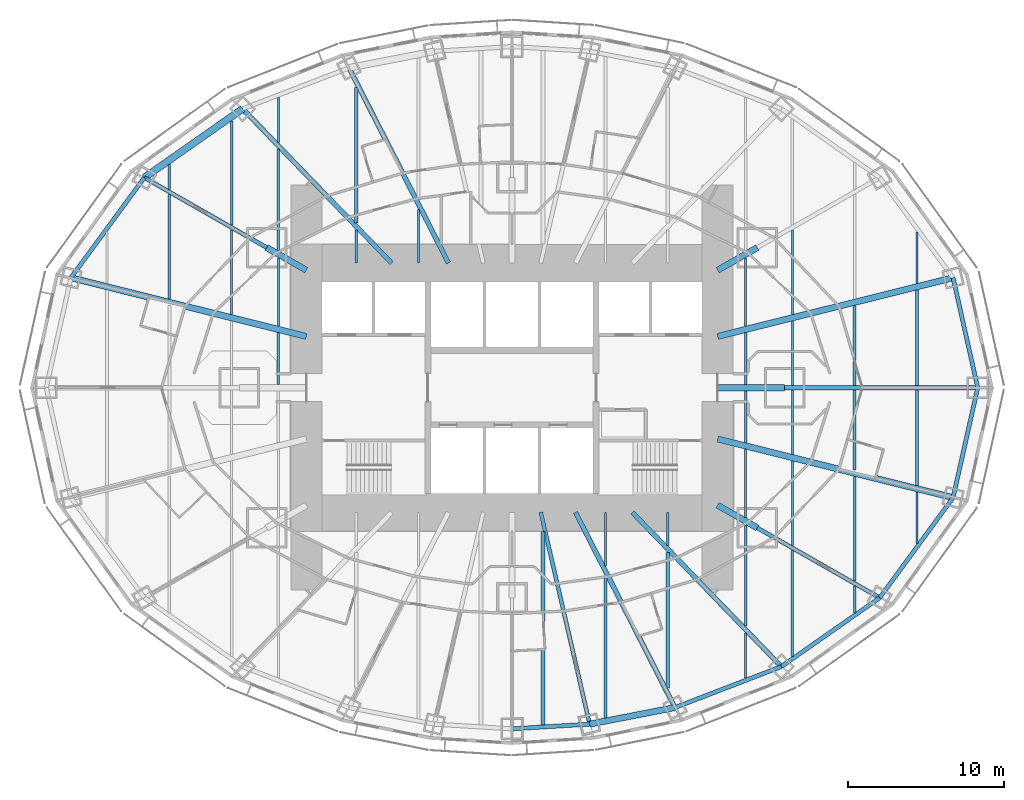
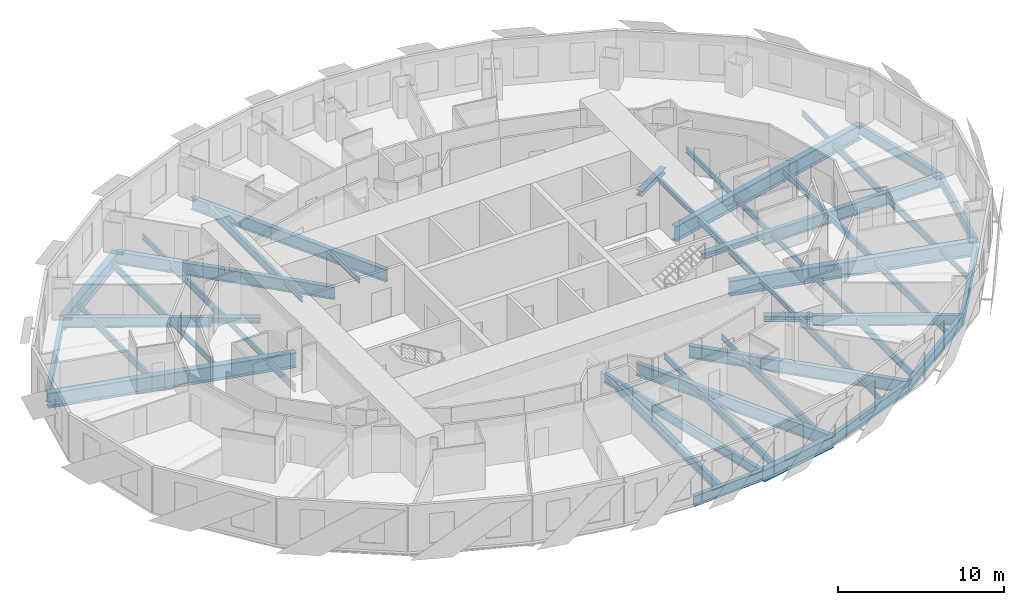
# One storey, part 2 of 15: 59 beams.
"""IFC4 building model written with IfcOpenShell, lengths in metres."""

import ifcopenshell
import ifcopenshell.guid

model = None  # the IFC model being written
_history = None  # IfcOwnerHistory: only IFC2X3 demands one
_inside = {}  # id of a spatial element -> (the spatial element, [elements in it])
_under = {}  # id of a project, library or spatial element -> (it, [spatial elements below it])
_declared = {}  # id of a project -> (the project, [libraries it declares])
_typed = {}  # id of a type object -> (the type object, [elements of that type])
_made_of = {}  # id of a material, layer set ... -> (it, [elements and type objects made of it])


def new_model(schema):
    """Start an empty IFC model of exactly this schema.

    Asked for "IFC4X3", IfcOpenShell would pick the latest addendum, in which some entities
    have other attributes; the version numbers below select the first issue.
    IFC2X3 requires an IfcOwnerHistory on every rooted entity: one is made here for all.
    """
    global model, _history
    if schema == "IFC4X3":
        model = ifcopenshell.file(schema_version=(4, 3, 0, 0))
    else:
        model = ifcopenshell.file(schema=schema)
    _inside.clear()
    _under.clear()
    _declared.clear()
    _typed.clear()
    _made_of.clear()
    _history = None
    if model.schema == "IFC2X3":
        org = make("IfcOrganization", Name="unknown")
        user = make(
            "IfcPersonAndOrganization",
            ThePerson=make("IfcPerson", FamilyName="unknown"),
            TheOrganization=org,
        )
        app = make(
            "IfcApplication",
            ApplicationDeveloper=org,
            Version="unknown",
            ApplicationFullName="unknown",
            ApplicationIdentifier="unknown",
        )
        _history = make(
            "IfcOwnerHistory",
            OwningUser=user,
            OwningApplication=app,
            ChangeAction="ADDED",
            CreationDate=0,
        )
    return model


def make(cls, **values):
    """One entity of the class cls with the attributes given. An attribute that is None is left unset."""
    return model.create_entity(
        cls, **{name: value for name, value in values.items() if value is not None}
    )


def rooted(cls, **values):
    """An entity with a GlobalId (a new one), such as an element, a storey or a relation."""
    return make(cls, GlobalId=ifcopenshell.guid.new(), OwnerHistory=_history, **values)


def si_unit(unit_type, name, prefix=None):
    """IfcSIUnit, for example si_unit("LENGTHUNIT", "METRE", prefix="MILLI")."""
    return make("IfcSIUnit", UnitType=unit_type, Prefix=prefix, Name=name)


def assignment(units):
    """IfcUnitAssignment: the units of a project."""
    return None if units is None else make("IfcUnitAssignment", Units=units)


def point(xyz):
    """IfcCartesianPoint."""
    return None if xyz is None else make("IfcCartesianPoint", Coordinates=xyz)


def direction(xyz):
    """IfcDirection."""
    return None if xyz is None else make("IfcDirection", DirectionRatios=xyz)


def frame(location, z_axis=None, x_axis=None):
    """IfcAxis2Placement3D, a coordinate frame: its origin and axes. An axis left out is left unset."""
    return make(
        "IfcAxis2Placement3D",
        Location=point(location),
        Axis=direction(z_axis),
        RefDirection=direction(x_axis),
    )


def frame_2d(location, x_axis=None):
    """IfcAxis2Placement2D, a coordinate frame in the plane: its origin and x axis."""
    return make(
        "IfcAxis2Placement2D", Location=point(location), RefDirection=direction(x_axis)
    )


def origin():
    """The frame at (0, 0, 0) with its axes left unset."""
    return frame((0.0, 0.0, 0.0))


def origin_2d():
    """The frame at (0, 0) in the plane with its x axis left unset."""
    return frame_2d((0.0, 0.0))


def place(relative_to, where):
    """IfcLocalPlacement: puts the frame where relative to a parent placement (None: the world)."""
    return make(
        "IfcLocalPlacement", PlacementRelTo=relative_to, RelativePlacement=where
    )


def context(
    kind, dimensions, precision=None, world=None, true_north=None, identifier=None
):
    """IfcGeometricRepresentationContext, for example the 3D "Model" context."""
    return make(
        "IfcGeometricRepresentationContext",
        ContextIdentifier=identifier,
        ContextType=kind,
        CoordinateSpaceDimension=dimensions,
        Precision=precision,
        WorldCoordinateSystem=world,
        TrueNorth=true_north,
    )


def subcontext(parent, identifier, kind, view, scale=None):
    """IfcGeometricRepresentationSubContext, for example "Body" below "Model"."""
    return make(
        "IfcGeometricRepresentationSubContext",
        ContextIdentifier=identifier,
        ContextType=kind,
        ParentContext=parent,
        TargetScale=scale,
        TargetView=view,
    )


def project(units=None, contexts=None):
    """IfcProject with its units and contexts."""
    return rooted(
        "IfcProject",
        Name="project",
        RepresentationContexts=contexts,
        UnitsInContext=assignment(units),
    )


def spatial(cls, under=None, at=None, **own):
    """A site, building, storey or space (cls), placed at a placement, below another one or the project."""
    s = rooted(cls, ObjectPlacement=at, **own)
    if under is not None:
        _under.setdefault(under.id(), (under, []))[1].append(s)
    return s


def profile(cls, at=None, kind="AREA", **sizes):
    """A parametric profile (cls). Its sizes go by their IFC names, for example OverallWidth=200.0."""
    return make(cls, ProfileType=kind, Position=at, **sizes)


def i_section(**sizes):
    """IfcIShapeProfileDef."""
    return profile("IfcIShapeProfileDef", **sizes)


def extrude(swept, where, along, depth):
    """IfcExtrudedAreaSolid: the profile swept, set in the frame where, extruded along a direction by depth."""
    return make(
        "IfcExtrudedAreaSolid",
        SweptArea=swept,
        Position=where,
        ExtrudedDirection=direction(along),
        Depth=depth,
    )


def shape(context_of_items, identifier, shape_type, items):
    """IfcShapeRepresentation: the items that make up one representation, for example the "Body"."""
    return make(
        "IfcShapeRepresentation",
        ContextOfItems=context_of_items,
        RepresentationIdentifier=identifier,
        RepresentationType=shape_type,
        Items=items,
    )


def material(Name=None, Category=None):
    """IfcMaterial."""
    return make("IfcMaterial", Name=Name, Category=Category)


def material_profile(
    of_material, cross_section, Name=None, Category=None, Priority=None
):
    """IfcMaterialProfile: a cross section and its material."""
    return make(
        "IfcMaterialProfile",
        Name=Name,
        Material=of_material,
        Profile=cross_section,
        Priority=Priority,
        Category=Category,
    )


def profile_set(profiles, Name=None, composite=None):
    """IfcMaterialProfileSet."""
    return make(
        "IfcMaterialProfileSet",
        Name=Name,
        MaterialProfiles=profiles,
        CompositeProfile=composite,
    )


def made_of(thing, what):
    """Note that an element or type object is made of a material, layer set ...; save() writes the relation."""
    if what is not None:
        _made_of.setdefault(what.id(), (what, []))[1].append(thing)
    return thing


def type_object(cls, material=None, **own):
    """A type object (cls), such as IfcWallType, which elements share."""
    return made_of(rooted(cls, **own), material)


def element(
    cls,
    number,
    at=None,
    inside=None,
    cuts=None,
    type_object=None,
    material=None,
    context=None,
    identifier="Body",
    shape_type=None,
    held_by="IfcProductDefinitionShape",
    body=None,
    shapes=None,
    **own,
):
    """One element of the class cls, such as IfcWall. Its Tag is "e" and its number.

    at: its placement. inside: the storey or other place that contains it. cuts: it is an
    opening in that element (IfcRelVoidsElement). A single representation is given by context,
    identifier, shape_type and body (its items); several are given by shapes. held_by: the class
    of the entity that holds the representations. save() writes the other relations.
    """
    e = rooted(cls, Tag="e%d" % number, ObjectPlacement=at, **own)
    if body is not None:
        shapes = [shape(context, identifier, shape_type, body)]
    if shapes is not None:
        e.Representation = make(held_by, Representations=shapes)
    if inside is not None:
        _inside.setdefault(inside.id(), (inside, []))[1].append(e)
    if cuts is not None:
        rooted(
            "IfcRelVoidsElement", RelatingBuildingElement=cuts, RelatedOpeningElement=e
        )
    if type_object is not None:
        _typed.setdefault(type_object.id(), (type_object, []))[1].append(e)
    return made_of(e, material)


def aggregate(whole, parts):
    """IfcRelAggregates: a whole, such as a stair, and the parts it consists of."""
    return rooted("IfcRelAggregates", RelatingObject=whole, RelatedObjects=parts)


def save(model, path):
    """Write the relations noted so far, then the file.

    IfcRelAggregates (storeys below a building ...), IfcRelContainedInSpatialStructure (elements
    in a storey), IfcRelDefinesByType, IfcRelAssociatesMaterial and IfcRelDeclares: one each for
    every whole, place, type object, material and project.
    """
    for whole, parts in _under.values():
        aggregate(whole, parts)
    for where, things in _inside.values():
        rooted(
            "IfcRelContainedInSpatialStructure",
            RelatedElements=things,
            RelatingStructure=where,
        )
    for kind, things in _typed.values():
        rooted("IfcRelDefinesByType", RelatedObjects=things, RelatingType=kind)
    for what, things in _made_of.values():
        rooted("IfcRelAssociatesMaterial", RelatedObjects=things, RelatingMaterial=what)
    for by, libraries in _declared.values():
        rooted("IfcRelDeclares", RelatingContext=by, RelatedDefinitions=libraries)
    model.write(path)


model = new_model("IFC4")

# Units and contexts
model_context = context("Model", 3, precision=1e-05, world=origin(), true_north=direction((0.0, 1.0)))
body_context = subcontext(model_context, "Body", "Model", "MODEL_VIEW")
ifc_project = project(units=[si_unit("LENGTHUNIT", "METRE"), si_unit("AREAUNIT", "SQUARE_METRE"), si_unit("VOLUMEUNIT", "CUBIC_METRE"), si_unit("PLANEANGLEUNIT", "RADIAN"), si_unit("MASSUNIT", "GRAM", prefix="KILO")], contexts=[model_context])

# Site, building, storey
site_placement = place(None, origin())
site = spatial("IfcSite", under=ifc_project, at=site_placement, CompositionType="ELEMENT")
building_placement = place(site_placement, origin())
building = spatial("IfcBuilding", under=site, at=building_placement, Name="Lantaw Convention Tower", CompositionType="ELEMENT")
storey_placement = place(building_placement, frame((0.0, 0.0, 101.800048828125)))
storey = spatial("IfcBuildingStorey", under=building, at=storey_placement, Name="L24", CompositionType="ELEMENT", Elevation=101.800048828125)

# Beams
ifc_material_1 = material(Name="Steel ASTM A572 Grade 50", Category="steel")
ifc_material_profile_1 = material_profile(ifc_material_1, i_section(OverallWidth=0.449951171875, OverallDepth=1.0, WebThickness=0.02001953125, FlangeThickness=0.0400390625, at=origin_2d()), Name="PG1000X450X20X40")
ifc_profile_set_1 = profile_set([ifc_material_profile_1], Name="Steel ASTM A572 Grade 50")
beam_type_1 = type_object("IfcBeamType", Name="Beam E PG1000X450X20X40", PredefinedType="SPANDREL", material=ifc_profile_set_1)
beam_1_placement = place(storey_placement, frame((-17.290771484375, 17.9052734375, -0.650146484375), z_axis=(-0.81942686407, -0.57318375277, 0.0), x_axis=(0.57318375277, -0.81942686407, 0.0)))
element("IfcBeam", 1, at=beam_1_placement, inside=storey, type_object=beam_type_1, Name="Edge beam 10", PredefinedType="SPANDREL", context=body_context, shape_type="SweptSolid", body=[
    extrude(i_section(OverallWidth=0.449951171875, OverallDepth=1.0, WebThickness=0.02001953125, FlangeThickness=0.0400390625, at=origin_2d()), origin(), (0.0, 0.0, 1.0), 7.70556640625),
])
ifc_material_2 = material(Name="Steel ASTM A992", Category="steel")
ifc_material_profile_2 = material_profile(ifc_material_2, i_section(OverallWidth=0.2666015625, OverallDepth=0.76953125, WebThickness=0.015625, FlangeThickness=0.025390625, FilletRadius=0.0126953125, at=origin_2d()), Name="W30X132")
ifc_profile_set_2 = profile_set([ifc_material_profile_2], Name="Steel ASTM A992")
beam_type_2 = type_object("IfcBeamType", Name="Beam E W30X132", PredefinedType="SPANDREL", material=ifc_profile_set_2)
beam_2_placement = place(storey_placement, frame((29.89990234375, 0.0, -0.534912109375), z_axis=(-0.218652184873, 0.975802860239, 0.0), x_axis=(-0.975802860239, -0.218652184873, 0.0)))
element("IfcBeam", 2, at=beam_2_placement, inside=storey, type_object=beam_type_2, Name="Edge beam 1", PredefinedType="SPANDREL", context=body_context, shape_type="SweptSolid", body=[
    extrude(i_section(OverallWidth=0.2666015625, OverallDepth=0.76953125, WebThickness=0.015625, FlangeThickness=0.025390625, FilletRadius=0.0126953125, at=origin_2d()), origin(), (0.0, 0.0, 1.0), 7.2353515625),
])
beam_3_placement = place(storey_placement, frame((-23.60498046875, 13.488525390625, -0.534912109375), z_axis=(-0.591270709086, -0.806473154281, 0.0), x_axis=(0.806473154281, -0.591270709086, 0.0)))
element("IfcBeam", 3, at=beam_3_placement, inside=storey, type_object=beam_type_2, Name="Edge beam 11", PredefinedType="SPANDREL", context=body_context, shape_type="SweptSolid", body=[
    extrude(i_section(OverallWidth=0.2666015625, OverallDepth=0.76953125, WebThickness=0.015625, FlangeThickness=0.025390625, FilletRadius=0.0126953125, at=origin_2d()), origin(), (0.0, 0.0, 1.0), 7.970703125),
])
beam_4_placement = place(storey_placement, frame((0.0, -21.89990234375, -0.534912109375), z_axis=(0.998173858406, 0.060406526096, 0.0), x_axis=(-0.060406526096, 0.998173858406, 0.0)))
element("IfcBeam", 4, at=beam_4_placement, inside=storey, type_object=beam_type_2, Name="Edge beam 19", PredefinedType="SPANDREL", context=body_context, shape_type="SweptSolid", body=[
    extrude(i_section(OverallWidth=0.2666015625, OverallDepth=0.76953125, WebThickness=0.015625, FlangeThickness=0.025390625, FilletRadius=0.0126953125, at=origin_2d()), origin(), (0.0, 0.0, 1.0), 4.995361328125),
])
beam_5_placement = place(storey_placement, frame((10.462646484375, -20.533935546875, -0.534912109375), z_axis=(0.933232900641, 0.359271976588, 0.0), x_axis=(-0.359271976588, 0.933232900641, 0.0)))
element("IfcBeam", 5, at=beam_5_placement, inside=storey, type_object=beam_type_2, Name="Edge beam 21", PredefinedType="SPANDREL", context=body_context, shape_type="SweptSolid", body=[
    extrude(i_section(OverallWidth=0.2666015625, OverallDepth=0.76953125, WebThickness=0.015625, FlangeThickness=0.025390625, FilletRadius=0.0126953125, at=origin_2d()), origin(), (0.0, 0.0, 1.0), 7.316650390625),
])
beam_6_placement = place(storey_placement, frame((17.290771484375, -17.9052734375, -0.534912109375), z_axis=(0.81942686407, 0.57318375277, 0.0), x_axis=(-0.57318375277, 0.81942686407, 0.0)))
element("IfcBeam", 6, at=beam_6_placement, inside=storey, type_object=beam_type_2, Name="Edge beam 22", PredefinedType="SPANDREL", context=body_context, shape_type="SweptSolid", body=[
    extrude(i_section(OverallWidth=0.2666015625, OverallDepth=0.76953125, WebThickness=0.015625, FlangeThickness=0.025390625, FilletRadius=0.0126953125, at=origin_2d()), origin(), (0.0, 0.0, 1.0), 7.70556640625),
])
beam_7_placement = place(storey_placement, frame((23.60498046875, -13.488525390625, -0.534912109375), z_axis=(0.591270709086, 0.806473154281, 0.0), x_axis=(-0.806473154281, 0.591270709086, 0.0)))
element("IfcBeam", 7, at=beam_7_placement, inside=storey, type_object=beam_type_2, Name="Edge beam 23", PredefinedType="SPANDREL", context=body_context, shape_type="SweptSolid", body=[
    extrude(i_section(OverallWidth=0.2666015625, OverallDepth=0.76953125, WebThickness=0.015625, FlangeThickness=0.025390625, FilletRadius=0.0126953125, at=origin_2d()), origin(), (0.0, 0.0, 1.0), 7.970703125),
])
beam_8_placement = place(storey_placement, frame((28.31787109375, -7.060302734375, -0.534912109375), z_axis=(0.218652184873, 0.975802860239, 0.0), x_axis=(-0.975802860239, 0.218652184873, 0.0)))
element("IfcBeam", 8, at=beam_8_placement, inside=storey, type_object=beam_type_2, Name="Edge beam 24", PredefinedType="SPANDREL", context=body_context, shape_type="SweptSolid", body=[
    extrude(i_section(OverallWidth=0.2666015625, OverallDepth=0.76953125, WebThickness=0.015625, FlangeThickness=0.025390625, FilletRadius=0.0126953125, at=origin_2d()), origin(), (0.0, 0.0, 1.0), 7.2353515625),
])
ifc_material_profile_3 = material_profile(ifc_material_2, i_section(OverallWidth=0.398681640625, OverallDepth=0.85595703125, WebThickness=0.01806640625, FlangeThickness=0.029296875, FilletRadius=0.016357421875, at=origin_2d()), Name="W33X201")
ifc_profile_set_3 = profile_set([ifc_material_profile_3], Name="Steel ASTM A992")
beam_type_3 = type_object("IfcBeamType", Name="Beam E W33X201", PredefinedType="SPANDREL", material=ifc_profile_set_3)
beam_9_placement = place(storey_placement, frame((4.986328125, -21.59814453125, -0.578125), z_axis=(0.981636565323, 0.190760723474, 0.0), x_axis=(-0.190760723474, 0.981636565323, 0.0)))
element("IfcBeam", 9, at=beam_9_placement, inside=storey, type_object=beam_type_3, Name="Edge beam 20", PredefinedType="SPANDREL", context=body_context, shape_type="SweptSolid", body=[
    extrude(i_section(OverallWidth=0.398681640625, OverallDepth=0.85595703125, WebThickness=0.01806640625, FlangeThickness=0.029296875, FilletRadius=0.016357421875, at=origin_2d()), origin(), (0.0, 0.0, 1.0), 5.578857421875),
])
ifc_material_profile_4 = material_profile(ifc_material_2, i_section(OverallWidth=0.25390625, OverallDepth=0.683349609375, WebThickness=0.012451171875, FlangeThickness=0.01904296875, FilletRadius=0.01513671875, at=origin_2d()), Name="W27X94")
ifc_profile_set_4 = profile_set([ifc_material_profile_4], Name="Steel ASTM A992")
beam_type_4 = type_object("IfcBeamType", Name="Beam G W27X94", PredefinedType="BEAM", material=ifc_profile_set_4)
beam_10_placement = place(storey_placement, frame((1.846923828125, -8.0, -0.49169921875), z_axis=(0.224952773175, -0.97436966796, 0.0), x_axis=(0.97436966796, 0.224952773175, 0.0)))
element("IfcBeam", 10, at=beam_10_placement, inside=storey, type_object=beam_type_4, Name="Floor girder on ray 20", PredefinedType="BEAM", context=body_context, shape_type="SweptSolid", body=[
    extrude(i_section(OverallWidth=0.25390625, OverallDepth=0.683349609375, WebThickness=0.012451171875, FlangeThickness=0.01904296875, FilletRadius=0.01513671875, at=origin_2d()), origin(), (0.0, 0.0, 1.0), 13.955810546875),
])
ifc_material_profile_5 = material_profile(ifc_material_2, i_section(OverallWidth=0.2666015625, OverallDepth=0.7568359375, WebThickness=0.013916015625, FlangeThickness=0.019287109375, FilletRadius=0.0126953125, at=origin_2d()), Name="W30X108")
ifc_profile_set_5 = profile_set([ifc_material_profile_5], Name="Steel ASTM A992")
beam_type_5 = type_object("IfcBeamType", Name="Beam G W30X108", PredefinedType="BEAM", material=ifc_profile_set_5)
for number, where, z_axis, x_axis, name in (
    (11, (-15.75, 9.0, -0.528564453125), (-0.868244802791, 0.496136032179, 0.0), (-0.496136032179, -0.868244802791, 0.0), "Floor girder on ray 11"),
    (12, (15.75, -9.0, -0.528564453125), (0.868244802791, -0.496136032179, 0.0), (0.496136032179, 0.868244802791, 0.0), "Floor girder on ray 23"),
):
    element("IfcBeam", number, at=place(storey_placement, frame(where, z_axis=z_axis, x_axis=x_axis)), inside=storey, type_object=beam_type_5, Name=name, PredefinedType="BEAM", context=body_context, shape_type="SweptSolid", body=[
        extrude(i_section(OverallWidth=0.2666015625, OverallDepth=0.7568359375, WebThickness=0.013916015625, FlangeThickness=0.019287109375, FilletRadius=0.0126953125, at=origin_2d()), origin(), (0.0, 0.0, 1.0), 9.046875),
    ])
ifc_material_profile_6 = material_profile(ifc_material_2, i_section(OverallWidth=0.307373046875, OverallDepth=0.922119140625, WebThickness=0.018310546875, FlangeThickness=0.030029296875, FilletRadius=0.0126953125, at=origin_2d()), Name="W36X182")
ifc_profile_set_6 = profile_set([ifc_material_profile_6], Name="Steel ASTM A992")
beam_type_6 = type_object("IfcBeamType", Name="Beam G W36X182", PredefinedType="BEAM", material=ifc_profile_set_6)
beam_11_placement = place(storey_placement, frame((17.5, 0.0, -0.611083984375), z_axis=(1.0, 0.0, 0.0), x_axis=(0.0, 1.0, 0.0)))
element("IfcBeam", 13, at=beam_11_placement, inside=storey, type_object=beam_type_6, Name="Floor girder on ray 1", PredefinedType="BEAM", context=body_context, shape_type="SweptSolid", body=[
    extrude(i_section(OverallWidth=0.307373046875, OverallDepth=0.922119140625, WebThickness=0.018310546875, FlangeThickness=0.030029296875, FilletRadius=0.0126953125, at=origin_2d()), origin(), (0.0, 0.0, 1.0), 12.39990234375),
])
beam_12_placement = place(storey_placement, frame((-4.076171875, 8.0, -0.611083984375), z_axis=(-0.453997016122, 0.891003203896, 0.0), x_axis=(-0.891003203896, -0.453997016122, 0.0)))
element("IfcBeam", 14, at=beam_12_placement, inside=storey, type_object=beam_type_6, Name="Floor girder on ray 9", PredefinedType="BEAM", context=body_context, shape_type="SweptSolid", body=[
    extrude(i_section(OverallWidth=0.307373046875, OverallDepth=0.922119140625, WebThickness=0.018310546875, FlangeThickness=0.030029296875, FilletRadius=0.0126953125, at=origin_2d()), origin(), (0.0, 0.0, 1.0), 14.067138671875),
])
beam_13_placement = place(storey_placement, frame((-7.7255859375, 8.0, -0.611083984375), z_axis=(-0.694649884291, 0.719347995239, 0.0), x_axis=(-0.719347995239, -0.694649884291, 0.0)))
element("IfcBeam", 15, at=beam_13_placement, inside=storey, type_object=beam_type_6, Name="Floor girder on ray 10", PredefinedType="BEAM", context=body_context, shape_type="SweptSolid", body=[
    extrude(i_section(OverallWidth=0.307373046875, OverallDepth=0.922119140625, WebThickness=0.018310546875, FlangeThickness=0.030029296875, FilletRadius=0.0126953125, at=origin_2d()), origin(), (0.0, 0.0, 1.0), 13.769775390625),
])
beam_14_placement = place(storey_placement, frame((4.076171875, -8.0, -0.611083984375), z_axis=(0.453997016122, -0.891003203896, 0.0), x_axis=(0.891003203896, 0.453997016122, 0.0)))
element("IfcBeam", 16, at=beam_14_placement, inside=storey, type_object=beam_type_6, Name="Floor girder on ray 21", PredefinedType="BEAM", context=body_context, shape_type="SweptSolid", body=[
    extrude(i_section(OverallWidth=0.307373046875, OverallDepth=0.922119140625, WebThickness=0.018310546875, FlangeThickness=0.030029296875, FilletRadius=0.0126953125, at=origin_2d()), origin(), (0.0, 0.0, 1.0), 14.067138671875),
])
beam_15_placement = place(storey_placement, frame((7.7255859375, -8.0, -0.611083984375), z_axis=(0.694649884291, -0.719347995239, 0.0), x_axis=(0.719347995239, 0.694649884291, 0.0)))
element("IfcBeam", 17, at=beam_15_placement, inside=storey, type_object=beam_type_6, Name="Floor girder on ray 22", PredefinedType="BEAM", context=body_context, shape_type="SweptSolid", body=[
    extrude(i_section(OverallWidth=0.307373046875, OverallDepth=0.922119140625, WebThickness=0.018310546875, FlangeThickness=0.030029296875, FilletRadius=0.0126953125, at=origin_2d()), origin(), (0.0, 0.0, 1.0), 13.769775390625),
])
ifc_material_profile_7 = material_profile(ifc_material_2, i_section(OverallWidth=0.40380859375, OverallDepth=1.11767578125, WebThickness=0.026123046875, FlangeThickness=0.044921875, FilletRadius=0.02001953125, at=origin_2d()), Name="W44X335")
ifc_profile_set_7 = profile_set([ifc_material_profile_7], Name="Steel ASTM A992")
beam_type_7 = type_object("IfcBeamType", Name="Beam G W44X335", PredefinedType="BEAM", material=ifc_profile_set_7)
for number, where, z_axis, x_axis, name in (
    (18, (13.199951171875, 3.291015625, -0.708740234375), (0.970296233567, 0.241919860957, 0.0), (-0.241919860957, 0.970296233567, 0.0), "Floor girder on ray 2"),
    (19, (-13.199951171875, 3.291015625, -0.708740234375), (-0.970296233567, 0.241919860957, 0.0), (-0.241919860957, -0.970296233567, 0.0), "Floor girder on ray 12"),
    (20, (13.199951171875, -3.291015625, -0.708740234375), (0.970296233567, -0.241919860957, 0.0), (0.241919860957, 0.970296233567, 0.0), "Floor girder on ray 24"),
):
    element("IfcBeam", number, at=place(storey_placement, frame(where, z_axis=z_axis, x_axis=x_axis)), inside=storey, type_object=beam_type_7, Name=name, PredefinedType="BEAM", context=body_context, shape_type="SweptSolid", body=[
        extrude(i_section(OverallWidth=0.40380859375, OverallDepth=1.11767578125, WebThickness=0.026123046875, FlangeThickness=0.044921875, FilletRadius=0.02001953125, at=origin_2d()), origin(), (0.0, 0.0, 1.0), 15.580810546875),
    ])
ifc_material_profile_8 = material_profile(ifc_material_2, i_section(OverallWidth=0.40380859375, OverallDepth=0.406494140625, WebThickness=0.027099609375, FlangeThickness=0.043701171875, FilletRadius=0.01513671875, at=origin_2d()), Name="W14X233")
ifc_profile_set_8 = profile_set([ifc_material_profile_8], Name="Steel ASTM A992")
beam_type_8 = type_object("IfcBeamType", Name="Beam GM W14X233", PredefinedType="BEAM", material=ifc_profile_set_8)
beam_16_placement = place(storey_placement, frame((13.199951171875, 0.0, -0.353271484375), z_axis=(1.0, 0.0, 0.0), x_axis=(0.0, 1.0, 0.0)))
element("IfcBeam", 21, at=beam_16_placement, inside=storey, type_object=beam_type_8, Name="Core link beam on ray 1", PredefinedType="BEAM", context=body_context, shape_type="SweptSolid", body=[
    extrude(i_section(OverallWidth=0.40380859375, OverallDepth=0.406494140625, WebThickness=0.027099609375, FlangeThickness=0.043701171875, FilletRadius=0.01513671875, at=origin_2d()), origin(), (0.0, 0.0, 1.0), 4.300048828125),
])
for number, where, z_axis, x_axis, name in (
    (22, (13.199951171875, 7.54296875, -0.353271484375), (0.868263603466, 0.496103129295, 0.0), (-0.496103129295, 0.868263603466, 0.0), "Core link beam on ray 3"),
    (23, (-13.199951171875, 7.54296875, -0.353271484375), (-0.868263603466, 0.496103129295, 0.0), (-0.496103129295, -0.868263603466, 0.0), "Core link beam on ray 11"),
    (24, (13.199951171875, -7.54296875, -0.353271484375), (0.868263603466, -0.496103129295, 0.0), (0.496103129295, 0.868263603466, 0.0), "Core link beam on ray 23"),
):
    element("IfcBeam", number, at=place(storey_placement, frame(where, z_axis=z_axis, x_axis=x_axis)), inside=storey, type_object=beam_type_8, Name=name, PredefinedType="BEAM", context=body_context, shape_type="SweptSolid", body=[
        extrude(i_section(OverallWidth=0.40380859375, OverallDepth=0.406494140625, WebThickness=0.027099609375, FlangeThickness=0.043701171875, FilletRadius=0.01513671875, at=origin_2d()), origin(), (0.0, 0.0, 1.0), 2.93701171875),
    ])
ifc_material_profile_9 = material_profile(ifc_material_2, i_section(OverallWidth=0.140380859375, OverallDepth=0.40380859375, WebThickness=0.007080078125, FlangeThickness=0.01123046875, FilletRadius=0.01025390625, at=origin_2d()), Name="W16X31")
ifc_profile_set_9 = profile_set([ifc_material_profile_9], Name="Steel ASTM A992")
beam_type_9 = type_object("IfcBeamType", Name="Beam J W16X31", PredefinedType="JOIST", material=ifc_profile_set_9)
beam_17_placement = place(storey_placement, frame((-22.0, 12.72509765625, -0.35205078125), z_axis=(0.0, 1.0, 0.0), x_axis=(-1.0, 0.0, 0.0)))
element("IfcBeam", 25, at=beam_17_placement, inside=storey, type_object=beam_type_9, Name="Floor joist", PredefinedType="JOIST", context=body_context, shape_type="SweptSolid", body=[
    extrude(i_section(OverallWidth=0.140380859375, OverallDepth=0.40380859375, WebThickness=0.007080078125, FlangeThickness=0.01123046875, FilletRadius=0.01025390625, at=origin_2d()), origin(), (0.0, 0.0, 1.0), 1.611572265625),
])
beam_18_placement = place(storey_placement, frame((-18.0, 4.696044921875, -0.35205078125), z_axis=(0.0, 1.0, 0.0), x_axis=(-1.0, 0.0, 0.0)))
element("IfcBeam", 26, at=beam_18_placement, inside=storey, type_object=beam_type_9, Name="Floor joist", PredefinedType="JOIST", context=body_context, shape_type="SweptSolid", body=[
    extrude(i_section(OverallWidth=0.140380859375, OverallDepth=0.40380859375, WebThickness=0.007080078125, FlangeThickness=0.01123046875, FilletRadius=0.01025390625, at=origin_2d()), origin(), (0.0, 0.0, 1.0), 5.43603515625),
])
beam_19_placement = place(storey_placement, frame((-15.0, 3.947998046875, -0.35205078125), z_axis=(0.0, 1.0, 0.0), x_axis=(-1.0, 0.0, 0.0)))
element("IfcBeam", 27, at=beam_19_placement, inside=storey, type_object=beam_type_9, Name="Floor joist", PredefinedType="JOIST", context=body_context, shape_type="SweptSolid", body=[
    extrude(i_section(OverallWidth=0.140380859375, OverallDepth=0.40380859375, WebThickness=0.007080078125, FlangeThickness=0.01123046875, FilletRadius=0.01025390625, at=origin_2d()), origin(), (0.0, 0.0, 1.0), 4.390869140625),
])
beam_20_placement = place(storey_placement, frame((-15.0, 15.754150390625, -0.35205078125), z_axis=(0.0, 1.0, 0.0), x_axis=(-1.0, 0.0, 0.0)))
element("IfcBeam", 28, at=beam_20_placement, inside=storey, type_object=beam_type_9, Name="Floor joist", PredefinedType="JOIST", context=body_context, shape_type="SweptSolid", body=[
    extrude(i_section(OverallWidth=0.140380859375, OverallDepth=0.40380859375, WebThickness=0.007080078125, FlangeThickness=0.01123046875, FilletRadius=0.01025390625, at=origin_2d()), origin(), (0.0, 0.0, 1.0), 2.89013671875),
])
beam_21_placement = place(storey_placement, frame((-10.0, 8.0, -0.35205078125), z_axis=(0.0, 1.0, 0.0), x_axis=(-1.0, 0.0, 0.0)))
element("IfcBeam", 29, at=beam_21_placement, inside=storey, type_object=beam_type_9, Name="Floor joist", PredefinedType="JOIST", context=body_context, shape_type="SweptSolid", body=[
    extrude(i_section(OverallWidth=0.140380859375, OverallDepth=0.40380859375, WebThickness=0.007080078125, FlangeThickness=0.01123046875, FilletRadius=0.01025390625, at=origin_2d()), origin(), (0.0, 0.0, 1.0), 2.134033203125),
])
for number, where, z_axis, x_axis, name in (
    (30, (-6.0, 8.0, -0.35205078125), (0.0, 1.0, 0.0), (-1.0, 0.0, 0.0), "Floor joist"),
    (31, (6.0, -11.437255859375, -0.35205078125), (0.0, 1.0, 0.0), (-1.0, 0.0, 0.0), "Floor joist"),
):
    element("IfcBeam", number, at=place(storey_placement, frame(where, z_axis=z_axis, x_axis=x_axis)), inside=storey, type_object=beam_type_9, Name=name, PredefinedType="JOIST", context=body_context, shape_type="SweptSolid", body=[
        extrude(i_section(OverallWidth=0.140380859375, OverallDepth=0.40380859375, WebThickness=0.007080078125, FlangeThickness=0.01123046875, FilletRadius=0.01025390625, at=origin_2d()), origin(), (0.0, 0.0, 1.0), 3.437255859375),
    ])
beam_22_placement = place(storey_placement, frame((10.0, -10.134033203125, -0.35205078125), z_axis=(0.0, 1.0, 0.0), x_axis=(-1.0, 0.0, 0.0)))
element("IfcBeam", 32, at=beam_22_placement, inside=storey, type_object=beam_type_9, Name="Floor joist", PredefinedType="JOIST", context=body_context, shape_type="SweptSolid", body=[
    extrude(i_section(OverallWidth=0.140380859375, OverallDepth=0.40380859375, WebThickness=0.007080078125, FlangeThickness=0.01123046875, FilletRadius=0.01025390625, at=origin_2d()), origin(), (0.0, 0.0, 1.0), 2.134033203125),
])
beam_23_placement = place(storey_placement, frame((15.0, -18.644287109375, -0.35205078125), z_axis=(0.0, 1.0, 0.0), x_axis=(-1.0, 0.0, 0.0)))
element("IfcBeam", 33, at=beam_23_placement, inside=storey, type_object=beam_type_9, Name="Floor joist", PredefinedType="JOIST", context=body_context, shape_type="SweptSolid", body=[
    extrude(i_section(OverallWidth=0.140380859375, OverallDepth=0.40380859375, WebThickness=0.007080078125, FlangeThickness=0.01123046875, FilletRadius=0.01025390625, at=origin_2d()), origin(), (0.0, 0.0, 1.0), 2.89013671875),
])
for number, where, z_axis, x_axis, name in (
    (34, (15.0, -8.3388671875, -0.35205078125), (0.0, 1.0, 0.0), (-1.0, 0.0, 0.0), "Floor joist"),
    (35, (15.0, 3.947998046875, -0.35205078125), (0.0, 1.0, 0.0), (-1.0, 0.0, 0.0), "Floor joist"),
):
    element("IfcBeam", number, at=place(storey_placement, frame(where, z_axis=z_axis, x_axis=x_axis)), inside=storey, type_object=beam_type_9, Name=name, PredefinedType="JOIST", context=body_context, shape_type="SweptSolid", body=[
        extrude(i_section(OverallWidth=0.140380859375, OverallDepth=0.40380859375, WebThickness=0.007080078125, FlangeThickness=0.01123046875, FilletRadius=0.01025390625, at=origin_2d()), origin(), (0.0, 0.0, 1.0), 4.390869140625),
    ])
beam_24_placement = place(storey_placement, frame((18.0, -10.132080078125, -0.35205078125), z_axis=(0.0, 1.0, 0.0), x_axis=(-1.0, 0.0, 0.0)))
element("IfcBeam", 36, at=beam_24_placement, inside=storey, type_object=beam_type_9, Name="Floor joist", PredefinedType="JOIST", context=body_context, shape_type="SweptSolid", body=[
    extrude(i_section(OverallWidth=0.140380859375, OverallDepth=0.40380859375, WebThickness=0.007080078125, FlangeThickness=0.01123046875, FilletRadius=0.01025390625, at=origin_2d()), origin(), (0.0, 0.0, 1.0), 5.43603515625),
])
for number, where, z_axis, x_axis, name in (
    (37, (18.0, -4.27978515625, -0.35205078125), (0.0, 1.0, 0.0), (-1.0, 0.0, 0.0), "Floor joist"),
    (38, (18.0, 0.153564453125, -0.35205078125), (0.0, 1.0, 0.0), (-1.0, 0.0, 0.0), "Floor joist"),
):
    element("IfcBeam", number, at=place(storey_placement, frame(where, z_axis=z_axis, x_axis=x_axis)), inside=storey, type_object=beam_type_9, Name=name, PredefinedType="JOIST", context=body_context, shape_type="SweptSolid", body=[
        extrude(i_section(OverallWidth=0.140380859375, OverallDepth=0.40380859375, WebThickness=0.007080078125, FlangeThickness=0.01123046875, FilletRadius=0.01025390625, at=origin_2d()), origin(), (0.0, 0.0, 1.0), 4.126220703125),
    ])
beam_25_placement = place(storey_placement, frame((18.0, 4.696044921875, -0.35205078125), z_axis=(0.0, 1.0, 0.0), x_axis=(-1.0, 0.0, 0.0)))
element("IfcBeam", 39, at=beam_25_placement, inside=storey, type_object=beam_type_9, Name="Floor joist", PredefinedType="JOIST", context=body_context, shape_type="SweptSolid", body=[
    extrude(i_section(OverallWidth=0.140380859375, OverallDepth=0.40380859375, WebThickness=0.007080078125, FlangeThickness=0.01123046875, FilletRadius=0.01025390625, at=origin_2d()), origin(), (0.0, 0.0, 1.0), 5.43603515625),
])
beam_26_placement = place(storey_placement, frame((22.0, -14.448486328125, -0.35205078125), z_axis=(0.0, 1.0, 0.0), x_axis=(-1.0, 0.0, 0.0)))
element("IfcBeam", 40, at=beam_26_placement, inside=storey, type_object=beam_type_9, Name="Floor joist", PredefinedType="JOIST", context=body_context, shape_type="SweptSolid", body=[
    extrude(i_section(OverallWidth=0.140380859375, OverallDepth=0.40380859375, WebThickness=0.007080078125, FlangeThickness=0.01123046875, FilletRadius=0.01025390625, at=origin_2d()), origin(), (0.0, 0.0, 1.0), 1.723388671875),
])
for number, where, z_axis, x_axis, name in (
    (41, (26.0, -9.996337890625, -0.35205078125), (0.0, 1.0, 0.0), (-1.0, 0.0, 0.0), "Floor joist"),
    (42, (26.0, 6.690673828125, -0.35205078125), (0.0, 1.0, 0.0), (-1.0, 0.0, 0.0), "Floor joist"),
):
    element("IfcBeam", number, at=place(storey_placement, frame(where, z_axis=z_axis, x_axis=x_axis)), inside=storey, type_object=beam_type_9, Name=name, PredefinedType="JOIST", context=body_context, shape_type="SweptSolid", body=[
        extrude(i_section(OverallWidth=0.140380859375, OverallDepth=0.40380859375, WebThickness=0.007080078125, FlangeThickness=0.01123046875, FilletRadius=0.01025390625, at=origin_2d()), origin(), (0.0, 0.0, 1.0), 3.3056640625),
    ])
ifc_material_profile_10 = material_profile(ifc_material_2, i_section(OverallWidth=0.1904296875, OverallDepth=0.457275390625, WebThickness=0.009033203125, FlangeThickness=0.014404296875, FilletRadius=0.01025390625, at=origin_2d()), Name="W18X50")
ifc_profile_set_10 = profile_set([ifc_material_profile_10], Name="Steel ASTM A992")
beam_type_10 = type_object("IfcBeamType", Name="Beam J W18X50", PredefinedType="JOIST", material=ifc_profile_set_10)
for number, where, z_axis, x_axis, name in (
    (43, (22.0, -5.277099609375, -0.378662109375), (0.0, 1.0, 0.0), (-1.0, 0.0, 0.0), "Floor joist"),
    (44, (22.0, 0.153564453125, -0.378662109375), (0.0, 1.0, 0.0), (-1.0, 0.0, 0.0), "Floor joist"),
):
    element("IfcBeam", number, at=place(storey_placement, frame(where, z_axis=z_axis, x_axis=x_axis)), inside=storey, type_object=beam_type_10, Name=name, PredefinedType="JOIST", context=body_context, shape_type="SweptSolid", body=[
        extrude(i_section(OverallWidth=0.1904296875, OverallDepth=0.457275390625, WebThickness=0.009033203125, FlangeThickness=0.014404296875, FilletRadius=0.01025390625, at=origin_2d()), origin(), (0.0, 0.0, 1.0), 5.12353515625),
    ])
ifc_material_profile_11 = material_profile(ifc_material_2, i_section(OverallWidth=0.1650390625, OverallDepth=0.52587890625, WebThickness=0.0087890625, FlangeThickness=0.011474609375, FilletRadius=0.0126953125, at=origin_2d()), Name="W21X44")
ifc_profile_set_11 = profile_set([ifc_material_profile_11], Name="Steel ASTM A992")
beam_type_11 = type_object("IfcBeamType", Name="Beam J W21X44", PredefinedType="JOIST", material=ifc_profile_set_11)
beam_27_placement = place(storey_placement, frame((-22.0, 5.693359375, -0.412841796875), z_axis=(0.0, 1.0, 0.0), x_axis=(-1.0, 0.0, 0.0)))
element("IfcBeam", 45, at=beam_27_placement, inside=storey, type_object=beam_type_11, Name="Floor joist", PredefinedType="JOIST", context=body_context, shape_type="SweptSolid", body=[
    extrude(i_section(OverallWidth=0.1650390625, OverallDepth=0.52587890625, WebThickness=0.0087890625, FlangeThickness=0.011474609375, FilletRadius=0.0126953125, at=origin_2d()), origin(), (0.0, 0.0, 1.0), 6.724609375),
])
beam_28_placement = place(storey_placement, frame((-18.0, 10.439208984375, -0.412841796875), z_axis=(0.0, 1.0, 0.0), x_axis=(-1.0, 0.0, 0.0)))
element("IfcBeam", 46, at=beam_28_placement, inside=storey, type_object=beam_type_11, Name="Floor joist", PredefinedType="JOIST", context=body_context, shape_type="SweptSolid", body=[
    extrude(i_section(OverallWidth=0.1650390625, OverallDepth=0.52587890625, WebThickness=0.0087890625, FlangeThickness=0.011474609375, FilletRadius=0.0126953125, at=origin_2d()), origin(), (0.0, 0.0, 1.0), 6.6953125),
])
for number, where, z_axis, x_axis, name in (
    (47, (-15.0, 8.803955078125, -0.412841796875), (0.0, 1.0, 0.0), (-1.0, 0.0, 0.0), "Floor joist"),
    (48, (15.0, -15.311767578125, -0.412841796875), (0.0, 1.0, 0.0), (-1.0, 0.0, 0.0), "Floor joist"),
):
    element("IfcBeam", number, at=place(storey_placement, frame(where, z_axis=z_axis, x_axis=x_axis)), inside=storey, type_object=beam_type_11, Name=name, PredefinedType="JOIST", context=body_context, shape_type="SweptSolid", body=[
        extrude(i_section(OverallWidth=0.1650390625, OverallDepth=0.52587890625, WebThickness=0.0087890625, FlangeThickness=0.011474609375, FilletRadius=0.0126953125, at=origin_2d()), origin(), (0.0, 0.0, 1.0), 6.5078125),
    ])
beam_29_placement = place(storey_placement, frame((18.0, -17.246337890625, -0.412841796875), z_axis=(0.0, 1.0, 0.0), x_axis=(-1.0, 0.0, 0.0)))
element("IfcBeam", 49, at=beam_29_placement, inside=storey, type_object=beam_type_11, Name="Floor joist", PredefinedType="JOIST", context=body_context, shape_type="SweptSolid", body=[
    extrude(i_section(OverallWidth=0.1650390625, OverallDepth=0.52587890625, WebThickness=0.0087890625, FlangeThickness=0.011474609375, FilletRadius=0.0126953125, at=origin_2d()), origin(), (0.0, 0.0, 1.0), 6.80712890625),
])
beam_30_placement = place(storey_placement, frame((22.0, -12.41796875, -0.412841796875), z_axis=(0.0, 1.0, 0.0), x_axis=(-1.0, 0.0, 0.0)))
element("IfcBeam", 50, at=beam_30_placement, inside=storey, type_object=beam_type_11, Name="Floor joist", PredefinedType="JOIST", context=body_context, shape_type="SweptSolid", body=[
    extrude(i_section(OverallWidth=0.1650390625, OverallDepth=0.52587890625, WebThickness=0.0087890625, FlangeThickness=0.011474609375, FilletRadius=0.0126953125, at=origin_2d()), origin(), (0.0, 0.0, 1.0), 6.724609375),
])
ifc_material_profile_12 = material_profile(ifc_material_2, i_section(OverallWidth=0.165771484375, OverallDepth=0.5283203125, WebThickness=0.009765625, FlangeThickness=0.013671875, FilletRadius=0.012939453125, at=origin_2d()), Name="W21X50")
ifc_profile_set_12 = profile_set([ifc_material_profile_12], Name="Steel ASTM A992")
beam_type_12 = type_object("IfcBeamType", Name="Beam J W21X50", PredefinedType="JOIST", material=ifc_profile_set_12)
for number, where, z_axis, x_axis, name in (
    (51, (-15.0, 0.201904296875, -0.414306640625), (0.0, 1.0, 0.0), (-1.0, 0.0, 0.0), "Floor joist"),
    (52, (15.0, -3.53173828125, -0.414306640625), (0.0, 1.0, 0.0), (-1.0, 0.0, 0.0), "Floor joist"),
    (53, (15.0, 0.201904296875, -0.414306640625), (0.0, 1.0, 0.0), (-1.0, 0.0, 0.0), "Floor joist"),
):
    element("IfcBeam", number, at=place(storey_placement, frame(where, z_axis=z_axis, x_axis=x_axis)), inside=storey, type_object=beam_type_12, Name=name, PredefinedType="JOIST", context=body_context, shape_type="SweptSolid", body=[
        extrude(i_section(OverallWidth=0.165771484375, OverallDepth=0.5283203125, WebThickness=0.009765625, FlangeThickness=0.013671875, FilletRadius=0.012939453125, at=origin_2d()), origin(), (0.0, 0.0, 1.0), 3.329833984375),
    ])
for number, where, z_axis, x_axis, name in (
    (54, (26.0, -6.2744140625, -0.414306640625), (0.0, 1.0, 0.0), (-1.0, 0.0, 0.0), "Floor joist"),
    (55, (26.0, 0.153564453125, -0.414306640625), (0.0, 1.0, 0.0), (-1.0, 0.0, 0.0), "Floor joist"),
):
    element("IfcBeam", number, at=place(storey_placement, frame(where, z_axis=z_axis, x_axis=x_axis)), inside=storey, type_object=beam_type_12, Name=name, PredefinedType="JOIST", context=body_context, shape_type="SweptSolid", body=[
        extrude(i_section(OverallWidth=0.165771484375, OverallDepth=0.5283203125, WebThickness=0.009765625, FlangeThickness=0.013671875, FilletRadius=0.012939453125, at=origin_2d()), origin(), (0.0, 0.0, 1.0), 6.120849609375),
    ])
ifc_material_profile_13 = material_profile(ifc_material_2, i_section(OverallWidth=0.2099609375, OverallDepth=0.535888671875, WebThickness=0.010986328125, FlangeThickness=0.017333984375, FilletRadius=0.012939453125, at=origin_2d()), Name="W21X68")
ifc_profile_set_13 = profile_set([ifc_material_profile_13], Name="Steel ASTM A992")
beam_type_13 = type_object("IfcBeamType", Name="Beam J W21X68", PredefinedType="JOIST", material=ifc_profile_set_13)
beam_31_placement = place(storey_placement, frame((6.0, -21.197998046875, -0.41796875), z_axis=(0.0, 1.0, 0.0), x_axis=(-1.0, 0.0, 0.0)))
element("IfcBeam", 56, at=beam_31_placement, inside=storey, type_object=beam_type_13, Name="Floor joist", PredefinedType="JOIST", context=body_context, shape_type="SweptSolid", body=[
    extrude(i_section(OverallWidth=0.2099609375, OverallDepth=0.535888671875, WebThickness=0.010986328125, FlangeThickness=0.017333984375, FilletRadius=0.012939453125, at=origin_2d()), origin(), (0.0, 0.0, 1.0), 9.083740234375),
])
ifc_material_profile_14 = material_profile(ifc_material_2, i_section(OverallWidth=0.227783203125, OverallDepth=0.60205078125, WebThickness=0.010498046875, FlangeThickness=0.014892578125, FilletRadius=0.012939453125, at=origin_2d()), Name="W24X68")
ifc_profile_set_14 = profile_set([ifc_material_profile_14], Name="Steel ASTM A992")
beam_type_14 = type_object("IfcBeamType", Name="Beam J W24X68", PredefinedType="JOIST", material=ifc_profile_set_14)
for number, where, z_axis, x_axis, name in (
    (57, (-10.0, 10.576416015625, -0.450927734375), (0.0, 1.0, 0.0), (-1.0, 0.0, 0.0), "Floor joist"),
    (58, (10.0, -19.28759765625, -0.450927734375), (0.0, 1.0, 0.0), (-1.0, 0.0, 0.0), "Floor joist"),
):
    element("IfcBeam", number, at=place(storey_placement, frame(where, z_axis=z_axis, x_axis=x_axis)), inside=storey, type_object=beam_type_14, Name=name, PredefinedType="JOIST", context=body_context, shape_type="SweptSolid", body=[
        extrude(i_section(OverallWidth=0.227783203125, OverallDepth=0.60205078125, WebThickness=0.010498046875, FlangeThickness=0.014892578125, FilletRadius=0.012939453125, at=origin_2d()), origin(), (0.0, 0.0, 1.0), 8.711181640625),
    ])
ifc_material_profile_15 = material_profile(ifc_material_2, i_section(OverallWidth=0.25390625, OverallDepth=0.700927734375, WebThickness=0.015380859375, FlangeThickness=0.02783203125, FilletRadius=0.01513671875, at=origin_2d()), Name="W27X129")
ifc_profile_set_15 = profile_set([ifc_material_profile_15], Name="Steel ASTM A992")
beam_type_15 = type_object("IfcBeamType", Name="Beam J W27X129", PredefinedType="JOIST", material=ifc_profile_set_15)
beam_32_placement = place(storey_placement, frame((2.0, -21.645263671875, -0.50048828125), z_axis=(0.0, 1.0, 0.0), x_axis=(-1.0, 0.0, 0.0)))
element("IfcBeam", 59, at=beam_32_placement, inside=storey, type_object=beam_type_15, Name="Floor joist", PredefinedType="JOIST", context=body_context, shape_type="SweptSolid", body=[
    extrude(i_section(OverallWidth=0.25390625, OverallDepth=0.700927734375, WebThickness=0.015380859375, FlangeThickness=0.02783203125, FilletRadius=0.01513671875, at=origin_2d()), origin(), (0.0, 0.0, 1.0), 12.417724609375),
])

save(model, "model.ifc")
